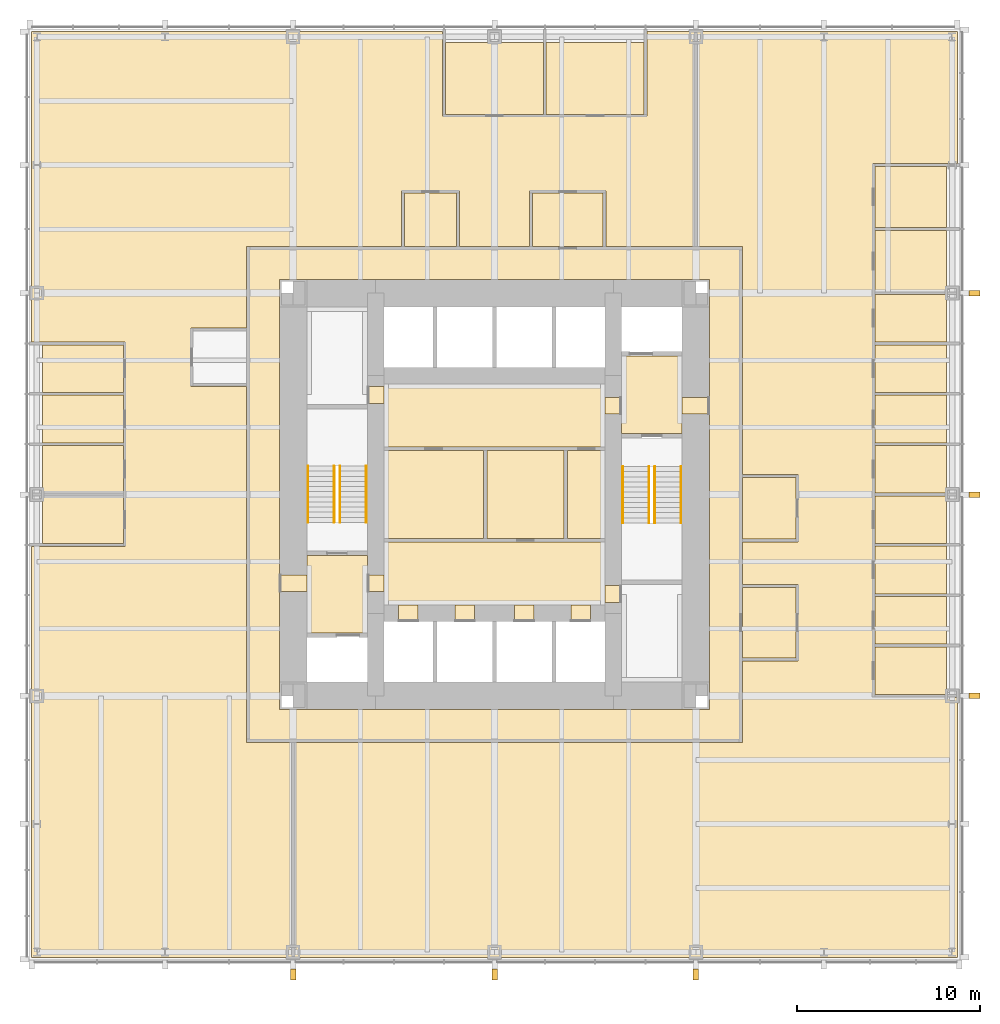
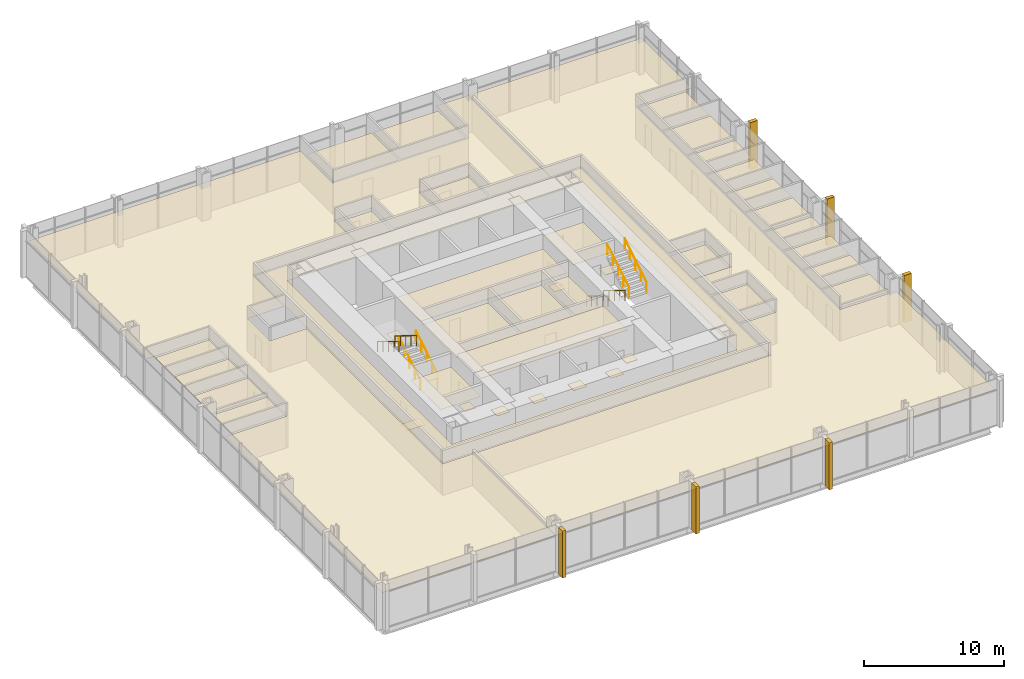
# One storey, part 12 of 12: 46 coverings, 8 railings.
"""IFC4 building model written with IfcOpenShell, lengths in metres."""

from ifc_helpers import new_model, si_unit, direction, frame, origin, origin_2d, place, context, subcontext, project, spatial, polyline, rectangle, circle, outline, extrude, material, layer, layer_set, type_object, element, save


model = new_model("IFC4")

# Units and contexts
model_context = context("Model", 3, precision=1e-05, world=origin(), true_north=direction((0.0, 1.0)))
body_context = subcontext(model_context, "Body", "Model", "MODEL_VIEW")
ifc_project = project(units=[si_unit("LENGTHUNIT", "METRE"), si_unit("AREAUNIT", "SQUARE_METRE"), si_unit("VOLUMEUNIT", "CUBIC_METRE"), si_unit("PLANEANGLEUNIT", "RADIAN"), si_unit("MASSUNIT", "GRAM", prefix="KILO")], contexts=[model_context])

# Site, building, storey
site_placement = place(None, origin())
site = spatial("IfcSite", under=ifc_project, at=site_placement, CompositionType="ELEMENT")
building_placement = place(site_placement, origin())
building = spatial("IfcBuilding", under=site, at=building_placement, Name="Trevanion Tower", CompositionType="ELEMENT")
storey_placement = place(building_placement, frame((0.0, 0.0, 48.800048828125)))
storey = spatial("IfcBuildingStorey", under=building, at=storey_placement, Name="L11", CompositionType="ELEMENT", Elevation=48.800048828125)

# Coverings
ifc_material_1 = material(Name="Fibrous plaster coffers on suspended steel grid", Category="steel")
ifc_layer_1 = layer(ifc_material_1, 0.050048828125)
ifc_layer_set_1 = layer_set([ifc_layer_1], Name="CL1 coffered fibrous plaster ceiling 50")
covering_type_1 = type_object("IfcCoveringType", Name="CL1 coffered fibrous plaster ceiling 50", PredefinedType="CEILING", material=ifc_layer_set_1)
covering_1_placement = place(storey_placement, frame((0.0, 0.0, 3.0)))
element("IfcCovering", 1, at=covering_1_placement, inside=storey, type_object=covering_type_1, Name="CL1 L11-LBS", PredefinedType="CEILING", context=body_context, shape_type="SweptSolid", body=[
    extrude(outline(polyline([(6.050048828125, -6.050048828125), (6.050048828125, -2.60009765625), (-6.050048828125, -2.60009765625), (-6.050048828125, -6.050048828125), (6.050048828125, -6.050048828125)])), origin(), (0.0, 0.0, 1.0), 0.050048828125),
])
ifc_material_2 = material(Name="Mineral fibre acoustic tiles in exposed grid", Category="mineral fibre")
ifc_layer_2 = layer(ifc_material_2, 0.02001953125)
ifc_layer_set_2 = layer_set([ifc_layer_2], Name="CL2 acoustic tile ceiling 20")
covering_type_2 = type_object("IfcCoveringType", Name="CL2 acoustic tile ceiling 20", PredefinedType="CEILING", material=ifc_layer_set_2)
covering_2_placement = place(storey_placement, frame((0.0, 0.0, 2.75)))
element("IfcCovering", 2, at=covering_2_placement, inside=storey, type_object=covering_type_2, Name="CL2 L11-LBN", PredefinedType="CEILING", context=body_context, shape_type="SweptSolid", body=[
    extrude(outline(polyline([(6.050048828125, 2.60009765625), (6.050048828125, 6.050048828125), (-6.050048828125, 6.050048828125), (-6.050048828125, 2.60009765625), (6.050048828125, 2.60009765625)])), origin(), (0.0, 0.0, 1.0), 0.02001953125),
])
covering_3_placement = place(storey_placement, frame((0.0, 0.0, 2.75)))
element("IfcCovering", 3, at=covering_3_placement, inside=storey, type_object=covering_type_2, Name="CL2 L11-CO", PredefinedType="CEILING", context=body_context, shape_type="SweptSolid", body=[
    extrude(outline(polyline([(-13.449951171875, 13.449951171875), (13.449951171875, 13.449951171875), (13.449951171875, -13.449951171875), (-13.449951171875, -13.449951171875), (-13.449951171875, 13.449951171875)]), holes=[polyline([(-11.75, 11.75), (-11.75, -11.75), (11.75, -11.75), (11.75, 11.75), (-11.75, 11.75)])]), origin(), (0.0, 0.0, 1.0), 0.02001953125),
])
covering_4_placement = place(storey_placement, frame((0.0, 0.0, 2.75)))
element("IfcCovering", 4, at=covering_4_placement, inside=storey, type_object=covering_type_2, Name="CL2 L11-OF", PredefinedType="CEILING", context=body_context, shape_type="SweptSolid", body=[
    extrude(outline(polyline([(20.77490234375, -10.925048828125), (20.77490234375, -8.324951171875), (24.699951171875, -8.324951171875), (24.699951171875, -10.925048828125), (20.77490234375, -10.925048828125)])), origin(), (0.0, 0.0, 1.0), 0.02001953125),
])
covering_5_placement = place(storey_placement, frame((0.0, 0.0, 2.75)))
element("IfcCovering", 5, at=covering_5_placement, inside=storey, type_object=covering_type_2, Name="CL2 L11-OF2", PredefinedType="CEILING", context=body_context, shape_type="SweptSolid", body=[
    extrude(outline(polyline([(20.77490234375, -8.175048828125), (20.77490234375, -5.574951171875), (24.699951171875, -5.574951171875), (24.699951171875, -8.175048828125), (20.77490234375, -8.175048828125)])), origin(), (0.0, 0.0, 1.0), 0.02001953125),
])
covering_6_placement = place(storey_placement, frame((0.0, 0.0, 2.75)))
element("IfcCovering", 6, at=covering_6_placement, inside=storey, type_object=covering_type_2, Name="CL2 L11-OF3", PredefinedType="CEILING", context=body_context, shape_type="SweptSolid", body=[
    extrude(outline(polyline([(20.77490234375, -5.425048828125), (20.77490234375, -2.824951171875), (24.699951171875, -2.824951171875), (24.699951171875, -5.425048828125), (20.77490234375, -5.425048828125)])), origin(), (0.0, 0.0, 1.0), 0.02001953125),
])
covering_7_placement = place(storey_placement, frame((0.0, 0.0, 2.75)))
element("IfcCovering", 7, at=covering_7_placement, inside=storey, type_object=covering_type_2, Name="CL2 L11-OF4", PredefinedType="CEILING", context=body_context, shape_type="SweptSolid", body=[
    extrude(outline(polyline([(20.77490234375, -2.675048828125), (20.77490234375, -0.074951171875), (24.699951171875, -0.074951171875), (24.699951171875, -2.675048828125), (20.77490234375, -2.675048828125)])), origin(), (0.0, 0.0, 1.0), 0.02001953125),
])
covering_8_placement = place(storey_placement, frame((0.0, 0.0, 2.75)))
element("IfcCovering", 8, at=covering_8_placement, inside=storey, type_object=covering_type_2, Name="CL2 L11-OF5", PredefinedType="CEILING", context=body_context, shape_type="SweptSolid", body=[
    extrude(outline(polyline([(20.77490234375, 0.074951171875), (20.77490234375, 2.675048828125), (24.699951171875, 2.675048828125), (24.699951171875, 0.074951171875), (20.77490234375, 0.074951171875)])), origin(), (0.0, 0.0, 1.0), 0.02001953125),
])
covering_9_placement = place(storey_placement, frame((0.0, 0.0, 2.75)))
element("IfcCovering", 9, at=covering_9_placement, inside=storey, type_object=covering_type_2, Name="CL2 L11-OF6", PredefinedType="CEILING", context=body_context, shape_type="SweptSolid", body=[
    extrude(outline(polyline([(20.77490234375, 2.824951171875), (20.77490234375, 5.425048828125), (24.699951171875, 5.425048828125), (24.699951171875, 2.824951171875), (20.77490234375, 2.824951171875)])), origin(), (0.0, 0.0, 1.0), 0.02001953125),
])
covering_10_placement = place(storey_placement, frame((0.0, 0.0, 2.75)))
element("IfcCovering", 10, at=covering_10_placement, inside=storey, type_object=covering_type_2, Name="CL2 L11-OF7", PredefinedType="CEILING", context=body_context, shape_type="SweptSolid", body=[
    extrude(outline(polyline([(20.77490234375, 5.574951171875), (20.77490234375, 8.175048828125), (24.699951171875, 8.175048828125), (24.699951171875, 5.574951171875), (20.77490234375, 5.574951171875)])), origin(), (0.0, 0.0, 1.0), 0.02001953125),
])
covering_11_placement = place(storey_placement, frame((0.0, 0.0, 2.75)))
element("IfcCovering", 11, at=covering_11_placement, inside=storey, type_object=covering_type_2, Name="CL2 L11-OF8", PredefinedType="CEILING", context=body_context, shape_type="SweptSolid", body=[
    extrude(outline(polyline([(20.77490234375, 8.324951171875), (20.77490234375, 10.925048828125), (24.699951171875, 10.925048828125), (24.699951171875, 8.324951171875), (20.77490234375, 8.324951171875)])), origin(), (0.0, 0.0, 1.0), 0.02001953125),
])
covering_12_placement = place(storey_placement, frame((0.0, 0.0, 2.75)))
element("IfcCovering", 12, at=covering_12_placement, inside=storey, type_object=covering_type_2, Name="CL2 L11-OF9", PredefinedType="CEILING", context=body_context, shape_type="SweptSolid", body=[
    extrude(outline(polyline([(20.77490234375, 11.074951171875), (20.77490234375, 14.425048828125), (24.699951171875, 14.425048828125), (24.699951171875, 11.074951171875), (20.77490234375, 11.074951171875)])), origin(), (0.0, 0.0, 1.0), 0.02001953125),
])
covering_13_placement = place(storey_placement, frame((0.0, 0.0, 2.75)))
element("IfcCovering", 13, at=covering_13_placement, inside=storey, type_object=covering_type_2, Name="CL2 L11-OF10", PredefinedType="CEILING", context=body_context, shape_type="SweptSolid", body=[
    extrude(outline(polyline([(20.77490234375, 14.574951171875), (20.77490234375, 17.925048828125), (24.699951171875, 17.925048828125), (24.699951171875, 14.574951171875), (20.77490234375, 14.574951171875)])), origin(), (0.0, 0.0, 1.0), 0.02001953125),
])
covering_14_placement = place(storey_placement, frame((0.0, 0.0, 2.75)))
element("IfcCovering", 14, at=covering_14_placement, inside=storey, type_object=covering_type_2, Name="CL2 L11-OF11", PredefinedType="CEILING", context=body_context, shape_type="SweptSolid", body=[
    extrude(outline(polyline([(-20.27490234375, 8.175048828125), (-20.27490234375, 5.574951171875), (-24.699951171875, 5.574951171875), (-24.699951171875, 8.175048828125), (-20.27490234375, 8.175048828125)])), origin(), (0.0, 0.0, 1.0), 0.02001953125),
])
covering_15_placement = place(storey_placement, frame((0.0, 0.0, 2.75)))
element("IfcCovering", 15, at=covering_15_placement, inside=storey, type_object=covering_type_2, Name="CL2 L11-OF12", PredefinedType="CEILING", context=body_context, shape_type="SweptSolid", body=[
    extrude(outline(polyline([(-20.27490234375, 5.425048828125), (-20.27490234375, 2.824951171875), (-24.699951171875, 2.824951171875), (-24.699951171875, 5.425048828125), (-20.27490234375, 5.425048828125)])), origin(), (0.0, 0.0, 1.0), 0.02001953125),
])
covering_16_placement = place(storey_placement, frame((0.0, 0.0, 2.75)))
element("IfcCovering", 16, at=covering_16_placement, inside=storey, type_object=covering_type_2, Name="CL2 L11-OF13", PredefinedType="CEILING", context=body_context, shape_type="SweptSolid", body=[
    extrude(outline(polyline([(-20.27490234375, 2.675048828125), (-20.27490234375, 0.074951171875), (-24.699951171875, 0.074951171875), (-24.699951171875, 2.675048828125), (-20.27490234375, 2.675048828125)])), origin(), (0.0, 0.0, 1.0), 0.02001953125),
])
covering_17_placement = place(storey_placement, frame((0.0, 0.0, 2.75)))
element("IfcCovering", 17, at=covering_17_placement, inside=storey, type_object=covering_type_2, Name="CL2 L11-OF14", PredefinedType="CEILING", context=body_context, shape_type="SweptSolid", body=[
    extrude(outline(polyline([(-20.27490234375, -0.074951171875), (-20.27490234375, -2.675048828125), (-24.699951171875, -2.675048828125), (-24.699951171875, -0.074951171875), (-20.27490234375, -0.074951171875)])), origin(), (0.0, 0.0, 1.0), 0.02001953125),
])
covering_18_placement = place(storey_placement, frame((0.0, 0.0, 2.75)))
element("IfcCovering", 18, at=covering_18_placement, inside=storey, type_object=covering_type_2, Name="CL2 L11-MR", PredefinedType="CEILING", context=body_context, shape_type="SweptSolid", body=[
    extrude(outline(polyline([(8.175048828125, 20.77490234375), (2.824951171875, 20.77490234375), (2.824951171875, 24.699951171875), (8.175048828125, 24.699951171875), (8.175048828125, 20.77490234375)])), origin(), (0.0, 0.0, 1.0), 0.02001953125),
])
covering_19_placement = place(storey_placement, frame((0.0, 0.0, 2.75)))
element("IfcCovering", 19, at=covering_19_placement, inside=storey, type_object=covering_type_2, Name="CL2 L11-MR2", PredefinedType="CEILING", context=body_context, shape_type="SweptSolid", body=[
    extrude(outline(polyline([(2.675048828125, 20.77490234375), (-2.675048828125, 20.77490234375), (-2.675048828125, 24.699951171875), (2.675048828125, 24.699951171875), (2.675048828125, 20.77490234375)])), origin(), (0.0, 0.0, 1.0), 0.02001953125),
])
covering_20_placement = place(storey_placement, frame((0.0, 0.0, 2.75)))
element("IfcCovering", 20, at=covering_20_placement, inside=storey, type_object=covering_type_2, Name="CL2 L11-RC", PredefinedType="CEILING", context=body_context, shape_type="SweptSolid", body=[
    extrude(outline(polyline([(13.550048828125, -8.925048828125), (13.550048828125, -5.074951171875), (16.47509765625, -5.074951171875), (16.47509765625, -8.925048828125), (13.550048828125, -8.925048828125)])), origin(), (0.0, 0.0, 1.0), 0.02001953125),
])
covering_21_placement = place(storey_placement, frame((0.0, 0.0, 2.75)))
element("IfcCovering", 21, at=covering_21_placement, inside=storey, type_object=covering_type_2, Name="CL2 L11-RC2", PredefinedType="CEILING", context=body_context, shape_type="SweptSolid", body=[
    extrude(outline(polyline([(5.925048828125, 13.550048828125), (2.074951171875, 13.550048828125), (2.074951171875, 16.47509765625), (5.925048828125, 16.47509765625), (5.925048828125, 13.550048828125)])), origin(), (0.0, 0.0, 1.0), 0.02001953125),
])
covering_22_placement = place(storey_placement, frame((0.0, 0.0, 2.75)))
element("IfcCovering", 22, at=covering_22_placement, inside=storey, type_object=covering_type_2, Name="CL2 L11-OP", PredefinedType="CEILING", context=body_context, shape_type="SweptSolid", body=[
    extrude(outline(polyline([(13.550048828125, -13.550048828125), (13.550048828125, -9.094970703125), (16.570068359375, -9.094970703125), (16.570068359375, -4.905029296875), (13.550048828125, -4.905029296875), (13.550048828125, -2.594970703125), (16.570068359375, -2.594970703125), (16.570068359375, 1.094970703125), (13.550048828125, 1.094970703125), (13.550048828125, 13.550048828125), (11.0, 13.550048828125), (11.0, 25.300048828125), (25.300048828125, 25.300048828125), (25.300048828125, 18.094970703125), (20.679931640625, 18.094970703125), (20.679931640625, -11.094970703125), (25.300048828125, -11.094970703125), (25.300048828125, -25.300048828125), (-11.0, -25.300048828125), (-11.0, -13.550048828125), (13.550048828125, -13.550048828125)])), origin(), (0.0, 0.0, 1.0), 0.02001953125),
])
covering_23_placement = place(storey_placement, frame((0.0, 0.0, 2.75)))
element("IfcCovering", 23, at=covering_23_placement, inside=storey, type_object=covering_type_2, Name="CL2 L11-OP2", PredefinedType="CEILING", context=body_context, shape_type="SweptSolid", body=[
    extrude(outline(polyline([(-11.0, -13.550048828125), (-11.0, -25.300048828125), (-25.300048828125, -25.300048828125), (-25.300048828125, -2.844970703125), (-20.179931640625, -2.844970703125), (-20.179931640625, 8.344970703125), (-25.300048828125, 8.344970703125), (-25.300048828125, 25.300048828125), (-2.844970703125, 25.300048828125), (-2.844970703125, 20.679931640625), (8.344970703125, 20.679931640625), (8.344970703125, 25.300048828125), (11.0, 25.300048828125), (11.0, 13.550048828125), (6.094970703125, 13.550048828125), (6.094970703125, 16.570068359375), (1.905029296875, 16.570068359375), (1.905029296875, 13.550048828125), (-1.905029296875, 13.550048828125), (-1.905029296875, 16.570068359375), (-5.094970703125, 16.570068359375), (-5.094970703125, 13.550048828125), (-13.550048828125, 13.550048828125), (-13.550048828125, 9.094970703125), (-16.570068359375, 9.094970703125), (-16.570068359375, 5.905029296875), (-13.550048828125, 5.905029296875), (-13.550048828125, -13.550048828125), (-11.0, -13.550048828125)])), origin(), (0.0, 0.0, 1.0), 0.02001953125),
])
ifc_material_3 = material(Name="Gypsum plasterboard on suspended metal furring", Category="gypsum")
ifc_layer_3 = layer(ifc_material_3, 0.012939453125)
ifc_layer_set_3 = layer_set([ifc_layer_3], Name="CL3 plasterboard ceiling 13")
covering_type_3 = type_object("IfcCoveringType", Name="CL3 plasterboard ceiling 13", PredefinedType="CEILING", material=ifc_layer_set_3)
covering_24_placement = place(storey_placement, frame((0.0, 0.0, 2.699951171875)))
element("IfcCovering", 24, at=covering_24_placement, inside=storey, type_object=covering_type_3, Name="CL3 L11-FV1", PredefinedType="CEILING", context=body_context, shape_type="SweptSolid", body=[
    extrude(outline(polyline([(10.25, 3.324951171875), (10.25, 7.574951171875), (6.949951171875, 7.574951171875), (6.949951171875, 3.324951171875), (10.25, 3.324951171875)])), origin(), (0.0, 0.0, 1.0), 0.012939453125),
])
covering_25_placement = place(storey_placement, frame((0.0, 0.0, 2.699951171875)))
element("IfcCovering", 25, at=covering_25_placement, inside=storey, type_object=covering_type_3, Name="CL3 L11-FV2", PredefinedType="CEILING", context=body_context, shape_type="SweptSolid", body=[
    extrude(outline(polyline([(-10.25, -3.324951171875), (-10.25, -7.574951171875), (-6.949951171875, -7.574951171875), (-6.949951171875, -3.324951171875), (-10.25, -3.324951171875)])), origin(), (0.0, 0.0, 1.0), 0.012939453125),
])
ifc_material_4 = material(Name="Moisture-resistant gypsum board on suspended metal furring", Category="gypsum")
ifc_layer_4 = layer(ifc_material_4, 0.01611328125)
ifc_layer_set_4 = layer_set([ifc_layer_4], Name="CL4 moisture-resistant board ceiling 16")
covering_type_4 = type_object("IfcCoveringType", Name="CL4 moisture-resistant board ceiling 16", PredefinedType="CEILING", material=ifc_layer_set_4)
covering_26_placement = place(storey_placement, frame((0.0, 0.0, 2.599853515625)))
element("IfcCovering", 26, at=covering_26_placement, inside=storey, type_object=covering_type_4, Name="CL4 L11-WCM", PredefinedType="CEILING", context=body_context, shape_type="SweptSolid", body=[
    extrude(outline(polyline([(-0.60009765625, -2.39990234375), (-0.60009765625, 2.39990234375), (-6.050048828125, 2.39990234375), (-6.050048828125, -2.39990234375), (-0.60009765625, -2.39990234375)])), origin(), (0.0, 0.0, 1.0), 0.01611328125),
])
covering_27_placement = place(storey_placement, frame((0.0, 0.0, 2.599853515625)))
element("IfcCovering", 27, at=covering_27_placement, inside=storey, type_object=covering_type_4, Name="CL4 L11-WCF", PredefinedType="CEILING", context=body_context, shape_type="SweptSolid", body=[
    extrude(outline(polyline([(3.800048828125, -2.39990234375), (3.800048828125, 2.39990234375), (-0.39990234375, 2.39990234375), (-0.39990234375, -2.39990234375), (3.800048828125, -2.39990234375)])), origin(), (0.0, 0.0, 1.0), 0.01611328125),
])
covering_28_placement = place(storey_placement, frame((0.0, 0.0, 2.599853515625)))
element("IfcCovering", 28, at=covering_28_placement, inside=storey, type_object=covering_type_4, Name="CL4 L11-WCA", PredefinedType="CEILING", context=body_context, shape_type="SweptSolid", body=[
    extrude(outline(polyline([(6.050048828125, -2.39990234375), (6.050048828125, 2.39990234375), (4.0, 2.39990234375), (4.0, -2.39990234375), (6.050048828125, -2.39990234375)])), origin(), (0.0, 0.0, 1.0), 0.01611328125),
])
covering_29_placement = place(storey_placement, frame((0.0, 0.0, 2.599853515625)))
element("IfcCovering", 29, at=covering_29_placement, inside=storey, type_object=covering_type_4, Name="CL4 L11-PA", PredefinedType="CEILING", context=body_context, shape_type="SweptSolid", body=[
    extrude(outline(polyline([(13.550048828125, -2.425048828125), (13.550048828125, 0.925048828125), (16.47509765625, 0.925048828125), (16.47509765625, -2.425048828125), (13.550048828125, -2.425048828125)])), origin(), (0.0, 0.0, 1.0), 0.01611328125),
])
covering_30_placement = place(storey_placement, frame((0.0, 0.0, 2.599853515625)))
element("IfcCovering", 30, at=covering_30_placement, inside=storey, type_object=covering_type_4, Name="CL4 L11-PA2", PredefinedType="CEILING", context=body_context, shape_type="SweptSolid", body=[
    extrude(outline(polyline([(-2.074951171875, 13.550048828125), (-4.925048828125, 13.550048828125), (-4.925048828125, 16.47509765625), (-2.074951171875, 16.47509765625), (-2.074951171875, 13.550048828125)])), origin(), (0.0, 0.0, 1.0), 0.01611328125),
])
ifc_material_5 = material(Name="Cast bronze fin on aluminium carrier", Category="aluminium")
covering_type_5 = type_object("IfcCoveringType", Name="F1 bronze fin", PredefinedType="CLADDING", material=ifc_material_5)
for number, where, z_axis, x_axis, name in (
    (31, (26.22509765625, -11.0, -0.190185546875), (0.0, 0.0, 1.0), (0.0, 1.0, 0.0), "F1 L11 east -11.0"),
    (32, (26.22509765625, 0.0, -0.190185546875), (0.0, 0.0, 1.0), (0.0, 1.0, 0.0), "F1 L11 east +0.0"),
    (33, (26.22509765625, 11.0, -0.190185546875), (0.0, 0.0, 1.0), (0.0, 1.0, 0.0), "F1 L11 east +11.0"),
    (34, (-11.0, -26.22509765625, -0.190185546875), (0.0, 0.0, 1.0), (1.0, 0.0, 0.0), "F1 L11 south -11.0"),
    (35, (0.0, -26.22509765625, -0.190185546875), (0.0, 0.0, 1.0), (1.0, 0.0, 0.0), "F1 L11 south +0.0"),
    (36, (11.0, -26.22509765625, -0.190185546875), (0.0, 0.0, 1.0), (1.0, 0.0, 0.0), "F1 L11 south +11.0"),
):
    element("IfcCovering", number, at=place(storey_placement, frame(where, z_axis=z_axis, x_axis=x_axis)), inside=storey, type_object=covering_type_5, Name=name, PredefinedType="CLADDING", context=body_context, shape_type="SweptSolid", body=[
        extrude(rectangle(XDim=0.300048828125, YDim=0.60009765625, at=origin_2d()), origin(), (0.0, 0.0, 1.0), 4.10009765625),
    ])
ifc_material_6 = material(Name="Terrazzo, brass divider strips", Category="stone")
ifc_layer_5 = layer(ifc_material_6, 0.02001953125)
ifc_layer_set_5 = layer_set([ifc_layer_5], Name="FF1 terrazzo flooring")
covering_type_6 = type_object("IfcCoveringType", Name="FF1 terrazzo flooring", PredefinedType="FLOORING", material=ifc_layer_set_5)
covering_31_placement = place(storey_placement, origin())
element("IfcCovering", 37, at=covering_31_placement, inside=storey, type_object=covering_type_6, Name="FF1 threshold 11-001", PredefinedType="FLOORING", context=body_context, shape_type="SweptSolid", body=[
    extrude(outline(polyline([(11.75, 4.392578125), (11.75, 5.3076171875), (10.25, 5.3076171875), (10.25, 4.392578125), (11.75, 4.392578125)])), origin(), (0.0, 0.0, 1.0), 0.02001953125),
])
covering_32_placement = place(storey_placement, origin())
element("IfcCovering", 38, at=covering_32_placement, inside=storey, type_object=covering_type_6, Name="FF1 threshold 11-002", PredefinedType="FLOORING", context=body_context, shape_type="SweptSolid", body=[
    extrude(outline(polyline([(-11.75, -4.392578125), (-11.75, -5.3076171875), (-10.25, -5.3076171875), (-10.25, -4.392578125), (-11.75, -4.392578125)])), origin(), (0.0, 0.0, 1.0), 0.02001953125),
])
covering_33_placement = place(storey_placement, origin())
element("IfcCovering", 39, at=covering_33_placement, inside=storey, type_object=covering_type_6, Name="FF1 threshold 11-003", PredefinedType="FLOORING", context=body_context, shape_type="SweptSolid", body=[
    extrude(outline(polyline([(6.949951171875, 4.392578125), (6.949951171875, 5.3076171875), (6.050048828125, 5.3076171875), (6.050048828125, 4.392578125), (6.949951171875, 4.392578125)])), origin(), (0.0, 0.0, 1.0), 0.02001953125),
])
covering_34_placement = place(storey_placement, origin())
element("IfcCovering", 40, at=covering_34_placement, inside=storey, type_object=covering_type_6, Name="FF1 threshold 11-004", PredefinedType="FLOORING", context=body_context, shape_type="SweptSolid", body=[
    extrude(outline(polyline([(-6.949951171875, -4.392578125), (-6.949951171875, -5.3076171875), (-6.050048828125, -5.3076171875), (-6.050048828125, -4.392578125), (-6.949951171875, -4.392578125)])), origin(), (0.0, 0.0, 1.0), 0.02001953125),
])
covering_35_placement = place(storey_placement, origin())
element("IfcCovering", 41, at=covering_35_placement, inside=storey, type_object=covering_type_6, Name="FF1 threshold 11-009", PredefinedType="FLOORING", context=body_context, shape_type="SweptSolid", body=[
    extrude(outline(polyline([(6.949951171875, -5.889892578125), (6.949951171875, -4.97509765625), (6.050048828125, -4.97509765625), (6.050048828125, -5.889892578125), (6.949951171875, -5.889892578125)])), origin(), (0.0, 0.0, 1.0), 0.02001953125),
])
covering_36_placement = place(storey_placement, origin())
element("IfcCovering", 42, at=covering_36_placement, inside=storey, type_object=covering_type_6, Name="FF1 threshold 11-010", PredefinedType="FLOORING", context=body_context, shape_type="SweptSolid", body=[
    extrude(outline(polyline([(-6.949951171875, 5.889892578125), (-6.949951171875, 4.97509765625), (-6.050048828125, 4.97509765625), (-6.050048828125, 5.889892578125), (-6.949951171875, 5.889892578125)])), origin(), (0.0, 0.0, 1.0), 0.02001953125),
])
covering_37_placement = place(storey_placement, origin())
element("IfcCovering", 43, at=covering_37_placement, inside=storey, type_object=covering_type_6, Name="FF1 threshold 11-011", PredefinedType="FLOORING", context=body_context, shape_type="SweptSolid", body=[
    extrude(outline(polyline([(-5.2333984375, -6.949951171875), (-4.16650390625, -6.949951171875), (-4.16650390625, -6.050048828125), (-5.2333984375, -6.050048828125), (-5.2333984375, -6.949951171875)])), origin(), (0.0, 0.0, 1.0), 0.02001953125),
])
covering_38_placement = place(storey_placement, origin())
element("IfcCovering", 44, at=covering_38_placement, inside=storey, type_object=covering_type_6, Name="FF1 threshold 11-012", PredefinedType="FLOORING", context=body_context, shape_type="SweptSolid", body=[
    extrude(outline(polyline([(-2.158447265625, -6.949951171875), (-1.091552734375, -6.949951171875), (-1.091552734375, -6.050048828125), (-2.158447265625, -6.050048828125), (-2.158447265625, -6.949951171875)])), origin(), (0.0, 0.0, 1.0), 0.02001953125),
])
covering_39_placement = place(storey_placement, origin())
element("IfcCovering", 45, at=covering_39_placement, inside=storey, type_object=covering_type_6, Name="FF1 threshold 11-013", PredefinedType="FLOORING", context=body_context, shape_type="SweptSolid", body=[
    extrude(outline(polyline([(1.091552734375, -6.949951171875), (2.158447265625, -6.949951171875), (2.158447265625, -6.050048828125), (1.091552734375, -6.050048828125), (1.091552734375, -6.949951171875)])), origin(), (0.0, 0.0, 1.0), 0.02001953125),
])
covering_40_placement = place(storey_placement, origin())
element("IfcCovering", 46, at=covering_40_placement, inside=storey, type_object=covering_type_6, Name="FF1 threshold 11-014", PredefinedType="FLOORING", context=body_context, shape_type="SweptSolid", body=[
    extrude(outline(polyline([(4.16650390625, -6.949951171875), (5.2333984375, -6.949951171875), (5.2333984375, -6.050048828125), (4.16650390625, -6.050048828125), (4.16650390625, -6.949951171875)])), origin(), (0.0, 0.0, 1.0), 0.02001953125),
])

# Railings
ifc_material_7 = material(Name="Stainless steel tube 40 mm", Category="steel")
railing_type = type_object("IfcRailingType", Name="HR1 handrail", PredefinedType="HANDRAIL", material=ifc_material_7)
for number, where, name in (
    (47, (7.010009765625, 1.52490234375, 0.170654296875), "HR1 ST1 L11 flight 1"),
    (48, (8.43994140625, 1.52490234375, 0.170654296875), "HR1 ST1 L11 flight 1"),
):
    element("IfcRailing", number, at=place(storey_placement, frame(where)), inside=storey, type_object=railing_type, Name=name, PredefinedType="HANDRAIL", context=body_context, shape_type="SweptSolid", body=[
        extrude(circle(Radius=0.02001953125, at=origin_2d()), frame((0.0, 0.0, 0.8798828125), z_axis=(0.0, -0.853617861917, 0.520899746416), x_axis=(1.0, 0.0, 0.0)), (0.0, 0.0, 1.0), 3.60791015625),
        extrude(circle(Radius=0.01513671875, at=origin_2d()), origin(), (0.0, 0.0, 1.0), 0.85986328125),
        extrude(circle(Radius=0.01513671875, at=origin_2d()), frame((0.0, -0.77001953125, 0.4697265625)), (0.0, 0.0, 1.0), 0.85986328125),
        extrude(circle(Radius=0.01513671875, at=origin_2d()), frame((0.0, -1.5400390625, 0.939697265625)), (0.0, 0.0, 1.0), 0.85986328125),
        extrude(circle(Radius=0.01513671875, at=origin_2d()), frame((0.0, -2.309814453125, 1.40966796875)), (0.0, 0.0, 1.0), 0.85986328125),
        extrude(circle(Radius=0.01513671875, at=origin_2d()), frame((0.0, -3.079833984375, 1.87939453125)), (0.0, 0.0, 1.0), 0.85986328125),
    ])
for number, where, name in (
    (49, (8.760009765625, -1.554931640625, 2.220703125), "HR1 ST1 L11 flight 2"),
    (50, (10.18994140625, -1.554931640625, 2.220703125), "HR1 ST1 L11 flight 2"),
):
    element("IfcRailing", number, at=place(storey_placement, frame(where)), inside=storey, type_object=railing_type, Name=name, PredefinedType="HANDRAIL", context=body_context, shape_type="SweptSolid", body=[
        extrude(circle(Radius=0.02001953125, at=origin_2d()), frame((0.0, 0.0, 0.8798828125), z_axis=(0.0, 0.853647949592, 0.520850437417), x_axis=(-1.0, 0.0, 0.0)), (0.0, 0.0, 1.0), 3.60791015625),
        extrude(circle(Radius=0.01513671875, at=origin_2d()), origin(), (0.0, 0.0, 1.0), 0.85986328125),
        extrude(circle(Radius=0.01513671875, at=origin_2d()), frame((0.0, 0.77001953125, 0.4697265625)), (0.0, 0.0, 1.0), 0.85986328125),
        extrude(circle(Radius=0.01513671875, at=origin_2d()), frame((0.0, 1.5400390625, 0.939453125)), (0.0, 0.0, 1.0), 0.85986328125),
        extrude(circle(Radius=0.01513671875, at=origin_2d()), frame((0.0, 2.309814453125, 1.409423828125)), (0.0, 0.0, 1.0), 0.85986328125),
        extrude(circle(Radius=0.01513671875, at=origin_2d()), frame((0.0, 3.079833984375, 1.879150390625)), (0.0, 0.0, 1.0), 0.85986328125),
    ])
for number, where, name in (
    (51, (-7.010009765625, -1.52490234375, 0.170654296875), "HR1 ST2 L11 flight 1"),
    (52, (-8.43994140625, -1.52490234375, 0.170654296875), "HR1 ST2 L11 flight 1"),
):
    element("IfcRailing", number, at=place(storey_placement, frame(where)), inside=storey, type_object=railing_type, Name=name, PredefinedType="HANDRAIL", context=body_context, shape_type="SweptSolid", body=[
        extrude(circle(Radius=0.02001953125, at=origin_2d()), frame((0.0, 0.0, 0.8798828125), z_axis=(0.0, 0.853617861917, 0.520899746416), x_axis=(-1.0, 0.0, 0.0)), (0.0, 0.0, 1.0), 3.60791015625),
        extrude(circle(Radius=0.01513671875, at=origin_2d()), origin(), (0.0, 0.0, 1.0), 0.85986328125),
        extrude(circle(Radius=0.01513671875, at=origin_2d()), frame((0.0, 0.77001953125, 0.4697265625)), (0.0, 0.0, 1.0), 0.85986328125),
        extrude(circle(Radius=0.01513671875, at=origin_2d()), frame((0.0, 1.5400390625, 0.939697265625)), (0.0, 0.0, 1.0), 0.85986328125),
        extrude(circle(Radius=0.01513671875, at=origin_2d()), frame((0.0, 2.309814453125, 1.40966796875)), (0.0, 0.0, 1.0), 0.85986328125),
        extrude(circle(Radius=0.01513671875, at=origin_2d()), frame((0.0, 3.079833984375, 1.87939453125)), (0.0, 0.0, 1.0), 0.85986328125),
    ])
for number, where, name in (
    (53, (-8.760009765625, 1.554931640625, 2.220703125), "HR1 ST2 L11 flight 2"),
    (54, (-10.18994140625, 1.554931640625, 2.220703125), "HR1 ST2 L11 flight 2"),
):
    element("IfcRailing", number, at=place(storey_placement, frame(where)), inside=storey, type_object=railing_type, Name=name, PredefinedType="HANDRAIL", context=body_context, shape_type="SweptSolid", body=[
        extrude(circle(Radius=0.02001953125, at=origin_2d()), frame((0.0, 0.0, 0.8798828125), z_axis=(0.0, -0.853647949592, 0.520850437417), x_axis=(1.0, 0.0, 0.0)), (0.0, 0.0, 1.0), 3.60791015625),
        extrude(circle(Radius=0.01513671875, at=origin_2d()), origin(), (0.0, 0.0, 1.0), 0.85986328125),
        extrude(circle(Radius=0.01513671875, at=origin_2d()), frame((0.0, -0.77001953125, 0.4697265625)), (0.0, 0.0, 1.0), 0.85986328125),
        extrude(circle(Radius=0.01513671875, at=origin_2d()), frame((0.0, -1.5400390625, 0.939453125)), (0.0, 0.0, 1.0), 0.85986328125),
        extrude(circle(Radius=0.01513671875, at=origin_2d()), frame((0.0, -2.309814453125, 1.409423828125)), (0.0, 0.0, 1.0), 0.85986328125),
        extrude(circle(Radius=0.01513671875, at=origin_2d()), frame((0.0, -3.079833984375, 1.879150390625)), (0.0, 0.0, 1.0), 0.85986328125),
    ])

save(model, "model.ifc")
